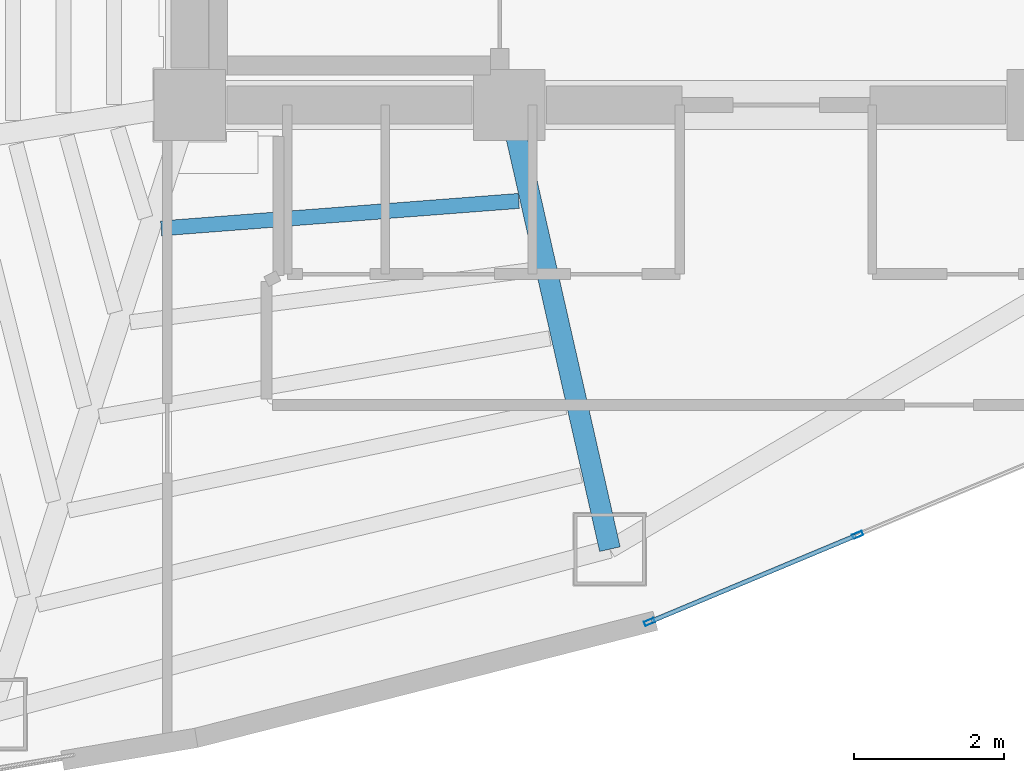
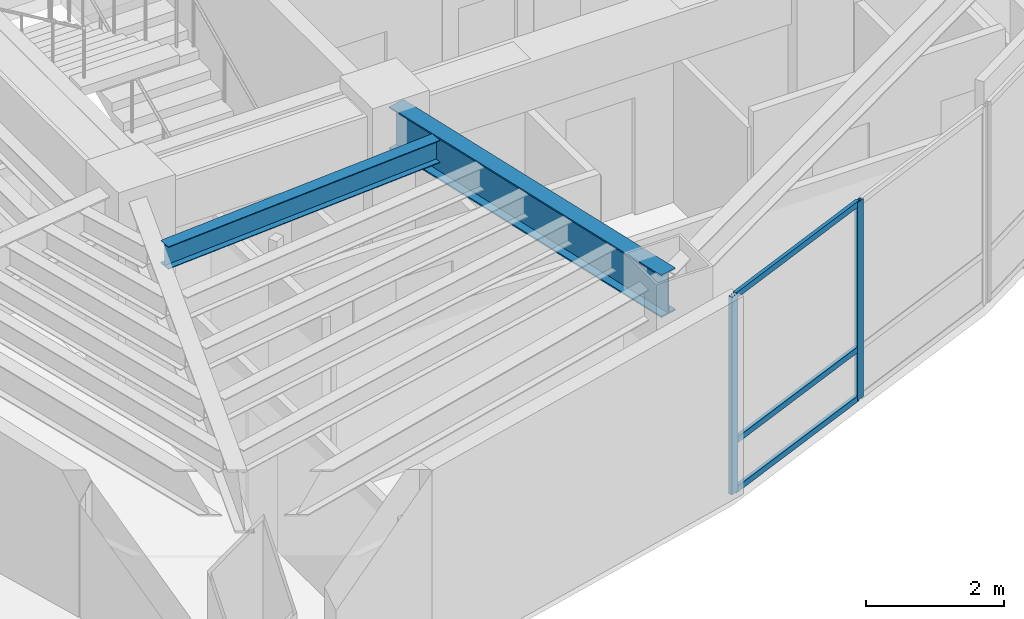
# One storey, part 2 of 15: 5 members, 2 beams, 1 element without a shape of its own.
"""IFC4 building model written with IfcOpenShell, lengths in metres."""

from ifc_helpers import new_model, si_unit, direction, frame, origin, origin_2d, place, context, subcontext, project, spatial, hollow_rectangle, i_section, extrude, material, layer, layer_set, material_profile, profile_set, type_object, element, aggregate, save


model = new_model("IFC4")

# Units and contexts
model_context = context("Model", 3, precision=1e-05, world=origin(), true_north=direction((0.0, 1.0)))
body_context = subcontext(model_context, "Body", "Model", "MODEL_VIEW")
ifc_project = project(units=[si_unit("LENGTHUNIT", "METRE"), si_unit("AREAUNIT", "SQUARE_METRE"), si_unit("VOLUMEUNIT", "CUBIC_METRE"), si_unit("PLANEANGLEUNIT", "RADIAN"), si_unit("MASSUNIT", "GRAM", prefix="KILO")], contexts=[model_context])

# Site, building, storey
site_placement = place(None, origin())
site = spatial("IfcSite", under=ifc_project, at=site_placement, CompositionType="ELEMENT")
building_placement = place(site_placement, origin())
building = spatial("IfcBuilding", under=site, at=building_placement, Name="Menara Vayukalpa", CompositionType="ELEMENT")
storey_placement = place(building_placement, frame((0.0, 0.0, 184.080078125)))
storey = spatial("IfcBuildingStorey", under=building, at=storey_placement, Name="L46", CompositionType="ELEMENT", Elevation=184.080078125)

# Beams
ifc_material_1 = material(Name="Steel S355", Category="steel")
ifc_material_profile_1 = material_profile(ifc_material_1, i_section(OverallWidth=0.280029296875, OverallDepth=0.75, WebThickness=0.013916015625, FlangeThickness=0.02490234375, at=origin_2d()), Name="WF 750x280x14x25")
ifc_profile_set_1 = profile_set([ifc_material_profile_1], Name="Steel S355")
beam_type_1 = type_object("IfcBeamType", Name="BM-PG4", PredefinedType="BEAM", material=ifc_profile_set_1)
beam_1_placement = place(storey_placement, frame((22.105224609375, 16.956298828125, 3.125), z_axis=(0.221085149161, -0.975254508741, 0.0), x_axis=(0.975254508741, 0.221085149161, 0.0)))
element("IfcBeam", 1, at=beam_1_placement, inside=storey, type_object=beam_type_1, Name="L46 Primary Radial Girder RG08", PredefinedType="BEAM", context=body_context, shape_type="SweptSolid", body=[
    extrude(i_section(OverallWidth=0.280029296875, OverallDepth=0.75, WebThickness=0.013916015625, FlangeThickness=0.02490234375, at=origin_2d()), origin(), (0.0, 0.0, 1.0), 5.80859375),
])
ifc_material_2 = material(Name="Steel S355", Category="steel")
ifc_material_profile_2 = material_profile(ifc_material_2, i_section(OverallWidth=0.199951171875, OverallDepth=0.39990234375, WebThickness=0.008056640625, FlangeThickness=0.012939453125, at=origin_2d()), Name="WF 400x200x8x13")
ifc_profile_set_2 = profile_set([ifc_material_profile_2], Name="Steel S355")
beam_type_2 = type_object("IfcBeamType", Name="BM-SJ2", PredefinedType="JOIST", material=ifc_profile_set_2)
beam_2_placement = place(storey_placement, frame((17.419921875, 15.558837890625, 3.2998046875), z_axis=(0.997061705182, 0.076602585202, 0.0), x_axis=(-0.076602585202, 0.997061705182, 0.0)))
element("IfcBeam", 2, at=beam_2_placement, inside=storey, type_object=beam_type_2, Name="L46 Secondary Floor Joist SJ07-1", PredefinedType="JOIST", context=body_context, shape_type="SweptSolid", body=[
    extrude(i_section(OverallWidth=0.199951171875, OverallDepth=0.39990234375, WebThickness=0.008056640625, FlangeThickness=0.012939453125, at=origin_2d()), origin(), (0.0, 0.0, 1.0), 4.77099609375),
])

# Curtain wall, members
ifc_material_3 = material(Name="Anodised Terracotta Aluminium Alloy 6063-T6", Category="masonry")
ifc_layer = layer(ifc_material_3, 0.139892578125)
ifc_layer_set = layer_set([ifc_layer], Name="Anodised Terracotta Aluminium Alloy 6063-T6")
curtain_wall_type = type_object("IfcCurtainWallType", Name="CW-CW5", PredefinedType="USERDEFINED", material=ifc_layer_set)
curtain_wall_placement = place(storey_placement, origin())
curtain_wall = element("IfcCurtainWall", 3, at=curtain_wall_placement, inside=storey, type_object=curtain_wall_type, Name="L46 High Rise Tapered Curtain Wall CW5 16", ObjectType="UNITISED", PredefinedType="USERDEFINED")
ifc_material_4 = material(Name="Anodised Terracotta Aluminium Alloy 6063-T6", Category="masonry")
ifc_material_profile_3 = material_profile(ifc_material_4, hollow_rectangle(XDim=0.06005859375, YDim=0.139892578125, WallThickness=0.00341796875, at=origin_2d()), Name="ALU 60x140x3.5")
ifc_profile_set_3 = profile_set([ifc_material_profile_3], Name="Anodised Terracotta Aluminium Alloy 6063-T6")
member_type_1 = type_object("IfcMemberType", Name="CWM-CW5", PredefinedType="MULLION", material=ifc_profile_set_3)
member_1_placement = place(storey_placement, frame((23.916259765625, 10.322998046875, 0.0), z_axis=(0.0, 0.0, 1.0), x_axis=(-0.385902834406, 0.922539431351, 0.0)))
member_1 = element("IfcMember", 4, at=member_1_placement, type_object=member_type_1, Name="CW5 mullion 1", PredefinedType="MULLION", context=body_context, shape_type="SweptSolid", body=[
    extrude(hollow_rectangle(XDim=0.06005859375, YDim=0.139892578125, WallThickness=0.00341796875, at=origin_2d()), origin(), (0.0, 0.0, 1.0), 3.5),
])
member_2_placement = place(storey_placement, frame((26.686279296875, 11.481689453125, 0.0), z_axis=(0.0, 0.0, 1.0), x_axis=(-0.385902834406, 0.922539431351, 0.0)))
member_2 = element("IfcMember", 5, at=member_2_placement, type_object=member_type_1, Name="CW5 mullion 2", PredefinedType="MULLION", context=body_context, shape_type="SweptSolid", body=[
    extrude(hollow_rectangle(XDim=0.06005859375, YDim=0.139892578125, WallThickness=0.00341796875, at=origin_2d()), origin(), (0.0, 0.0, 1.0), 3.5),
])
ifc_material_5 = material(Name="Anodised Terracotta Aluminium Alloy 6063-T6", Category="masonry")
ifc_material_profile_4 = material_profile(ifc_material_5, hollow_rectangle(XDim=0.06005859375, YDim=0.10498046875, WallThickness=0.0029296875, at=origin_2d()), Name="ALU 60x105x3")
ifc_profile_set_4 = profile_set([ifc_material_profile_4], Name="Anodised Terracotta Aluminium Alloy 6063-T6")
member_type_2 = type_object("IfcMemberType", Name="CWT-CW5", PredefinedType="USERDEFINED", material=ifc_profile_set_4)
member_3_placement = place(storey_placement, frame((23.94384765625, 10.33447265625, 0.030029296875), z_axis=(0.922543360613, 0.385893440976, 0.0), x_axis=(-0.385893440976, 0.922543360613, 0.0)))
member_3 = element("IfcMember", 6, at=member_3_placement, type_object=member_type_2, Name="CW5 transom 1.1", ObjectType="TRANSOM", PredefinedType="USERDEFINED", context=body_context, shape_type="SweptSolid", body=[
    extrude(hollow_rectangle(XDim=0.06005859375, YDim=0.10498046875, WallThickness=0.0029296875, at=origin_2d()), origin(), (0.0, 0.0, 1.0), 2.942626953125),
])
member_4_placement = place(storey_placement, frame((23.94384765625, 10.33447265625, 0.89990234375), z_axis=(0.922543360613, 0.385893440976, 0.0), x_axis=(-0.385893440976, 0.922543360613, 0.0)))
member_4 = element("IfcMember", 7, at=member_4_placement, type_object=member_type_2, Name="CW5 transom 1.2", ObjectType="TRANSOM", PredefinedType="USERDEFINED", context=body_context, shape_type="SweptSolid", body=[
    extrude(hollow_rectangle(XDim=0.06005859375, YDim=0.10498046875, WallThickness=0.0029296875, at=origin_2d()), origin(), (0.0, 0.0, 1.0), 2.942626953125),
])
member_5_placement = place(storey_placement, frame((23.94384765625, 10.33447265625, 3.469970703125), z_axis=(0.922543360613, 0.385893440976, 0.0), x_axis=(-0.385893440976, 0.922543360613, 0.0)))
member_5 = element("IfcMember", 8, at=member_5_placement, type_object=member_type_2, Name="CW5 transom 1.3", ObjectType="TRANSOM", PredefinedType="USERDEFINED", context=body_context, shape_type="SweptSolid", body=[
    extrude(hollow_rectangle(XDim=0.06005859375, YDim=0.10498046875, WallThickness=0.0029296875, at=origin_2d()), origin(), (0.0, 0.0, 1.0), 2.942626953125),
])
aggregate(curtain_wall, [member_1, member_2, member_3, member_4, member_5])

save(model, "model.ifc")
